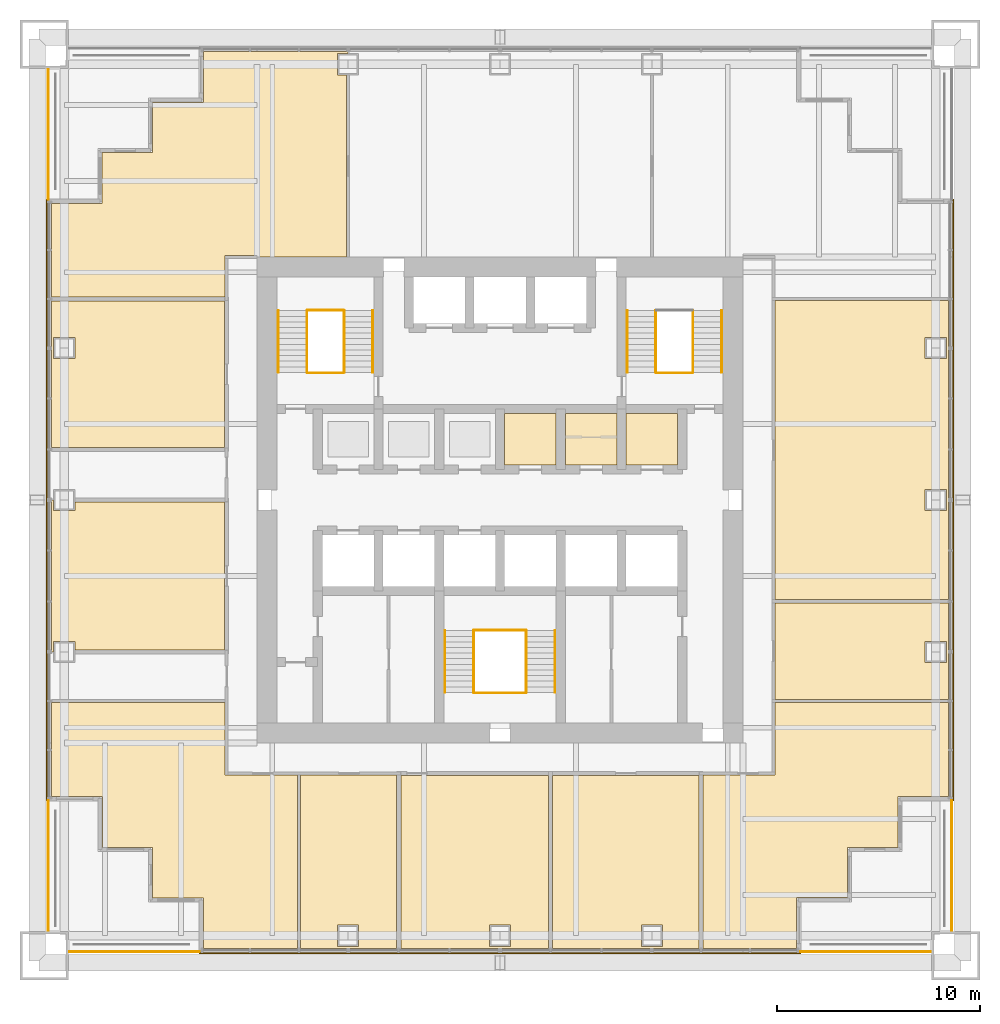
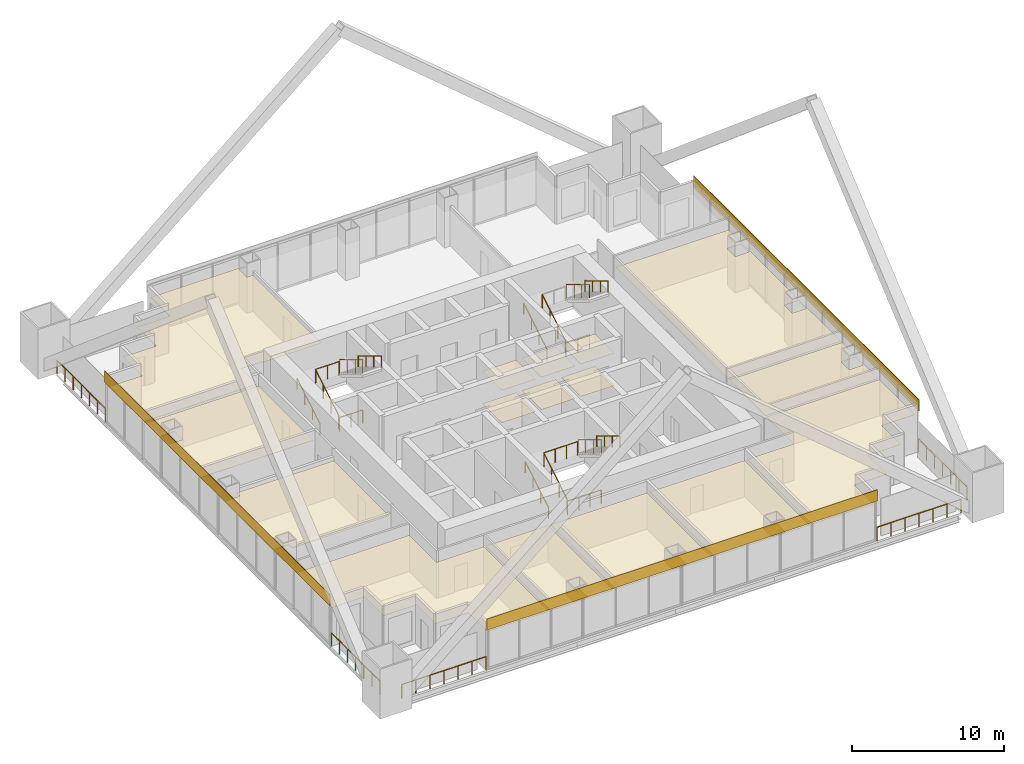
# One storey, part 12 of 14: 22 railings, 19 coverings.
"""IFC4 building model written with IfcOpenShell, lengths in metres."""

from ifc_helpers import new_model, si_unit, direction, frame, origin, origin_2d, place, context, subcontext, project, spatial, polyline, rectangle, circle, outline, extrude, material, layer, layer_set, type_object, element, save


model = new_model("IFC4")

# Units and contexts
model_context = context("Model", 3, precision=1e-05, world=origin(), true_north=direction((0.0, 1.0)))
body_context = subcontext(model_context, "Body", "Model", "MODEL_VIEW")
ifc_project = project(units=[si_unit("LENGTHUNIT", "METRE"), si_unit("AREAUNIT", "SQUARE_METRE"), si_unit("VOLUMEUNIT", "CUBIC_METRE"), si_unit("PLANEANGLEUNIT", "RADIAN"), si_unit("MASSUNIT", "GRAM", prefix="KILO")], contexts=[model_context])

# Site, building, storey
site_placement = place(None, origin())
site = spatial("IfcSite", under=ifc_project, at=site_placement, CompositionType="ELEMENT")
building_placement = place(site_placement, origin())
building = spatial("IfcBuilding", under=site, at=building_placement, Name="Tarangal Relay Tower", CompositionType="ELEMENT")
storey_placement = place(building_placement, frame((0.0, 0.0, 177.89990234375)))
storey = spatial("IfcBuildingStorey", under=building, at=storey_placement, Name="L36", CompositionType="ELEMENT", Elevation=177.89990234375)

# Coverings
ifc_material_1 = material(Name="Anti-static vinyl flooring", Category="plastic")
ifc_layer_1 = layer(ifc_material_1, 0.010009765625)
ifc_layer_set_1 = layer_set([ifc_layer_1], Name="Anti-static vinyl floor")
covering_type_1 = type_object("IfcCoveringType", Name="Anti-static vinyl floor", PredefinedType="FLOORING", material=ifc_layer_set_1)
covering_1_placement = place(storey_placement, origin())
element("IfcCovering", 1, at=covering_1_placement, inside=storey, type_object=covering_type_1, Name="Floor finish FL1 L36-T1", PredefinedType="FLOORING", context=body_context, shape_type="SweptSolid", body=[
    extrude(outline(polyline([(0.22509765625, 1.72509765625), (2.77490234375, 1.72509765625), (2.77490234375, 4.27490234375), (0.22509765625, 4.27490234375), (0.22509765625, 1.72509765625)])), origin(), (0.0, 0.0, 1.0), 0.010009765625),
])
covering_2_placement = place(storey_placement, origin())
element("IfcCovering", 2, at=covering_2_placement, inside=storey, type_object=covering_type_1, Name="Floor finish FL1 L36-T2", PredefinedType="FLOORING", context=body_context, shape_type="SweptSolid", body=[
    extrude(outline(polyline([(3.22509765625, 1.72509765625), (5.77490234375, 1.72509765625), (5.77490234375, 4.27490234375), (3.22509765625, 4.27490234375), (3.22509765625, 1.72509765625)])), origin(), (0.0, 0.0, 1.0), 0.010009765625),
])
covering_3_placement = place(storey_placement, origin())
element("IfcCovering", 3, at=covering_3_placement, inside=storey, type_object=covering_type_1, Name="Floor finish FL1 L36-T3", PredefinedType="FLOORING", context=body_context, shape_type="SweptSolid", body=[
    extrude(outline(polyline([(6.22509765625, 1.72509765625), (8.77490234375, 1.72509765625), (8.77490234375, 4.27490234375), (6.22509765625, 4.27490234375), (6.22509765625, 1.72509765625)])), origin(), (0.0, 0.0, 1.0), 0.010009765625),
])
ifc_material_2 = material(Name="Black anodised aluminium cladding", Category="aluminium")
ifc_layer_2 = layer(ifc_material_2, 0.050048828125)
ifc_layer_set_2 = layer_set([ifc_layer_2], Name="Black metal spandrel band")
covering_type_2 = type_object("IfcCoveringType", Name="Black metal spandrel band", PredefinedType="CLADDING", material=ifc_layer_set_2)
for number, where, z_axis, x_axis, name in (
    (4, (22.375, 0.0, 3.250244140625), (0.0, 0.0, 1.0), (0.0, -1.0, 0.0), "Spandrel band SB1 E L36"),
    (5, (0.0, -22.375, 3.250244140625), (0.0, 0.0, 1.0), (-1.0, 0.0, 0.0), "Spandrel band SB1 S L36"),
    (6, (-22.375, 0.0, 3.250244140625), (0.0, 0.0, 1.0), (0.0, 1.0, 0.0), "Spandrel band SB1 W L36"),
):
    element("IfcCovering", number, at=place(storey_placement, frame(where, z_axis=z_axis, x_axis=x_axis)), inside=storey, type_object=covering_type_2, Name=name, PredefinedType="CLADDING", context=body_context, shape_type="SweptSolid", body=[
        extrude(rectangle(XDim=29.699951171875, YDim=0.050048828125, at=origin_2d()), origin(), (0.0, 0.0, 1.0), 0.89990234375),
    ])

# Railings
ifc_material_3 = material(Name="Steel guard, black finish", Category="steel")
railing_type_1 = type_object("IfcRailingType", Name="Stair guard 1100", PredefinedType="GUARDRAIL", material=ifc_material_3)
railing_1_placement = place(storey_placement, frame((-9.530029296875, 6.300048828125, 0.166748046875)))
element("IfcRailing", 7, at=railing_1_placement, inside=storey, type_object=railing_type_1, Name="Stair ST-A guard GR1 L36 flight 1", PredefinedType="GUARDRAIL", context=body_context, shape_type="SweptSolid", body=[
    extrude(circle(Radius=0.02392578125, at=origin_2d()), frame((0.0, 0.0, 1.076171875), z_axis=(0.0, 0.85685617095, 0.515555527858), x_axis=(-1.0, 0.0, 0.0)), (0.0, 0.0, 1.0), 3.555908203125),
    extrude(circle(Radius=0.02099609375, at=origin_2d()), origin(), (0.0, 0.0, 1.0), 1.052001953125),
    extrude(circle(Radius=0.02099609375, at=origin_2d()), frame((0.0, 1.015625, 0.611083984375)), (0.0, 0.0, 1.0), 1.052001953125),
    extrude(circle(Radius=0.02099609375, at=origin_2d()), frame((0.0, 2.03125, 1.22216796875)), (0.0, 0.0, 1.0), 1.052001953125),
    extrude(circle(Radius=0.02099609375, at=origin_2d()), frame((0.0, 3.046875, 1.833251953125)), (0.0, 0.0, 1.0), 1.052001953125),
])
railing_2_placement = place(storey_placement, frame((-7.695068359375, 9.346923828125, 2.166748046875)))
element("IfcRailing", 8, at=railing_2_placement, inside=storey, type_object=railing_type_1, Name="Stair ST-A guard GR1 L36 flight 2", PredefinedType="GUARDRAIL", context=body_context, shape_type="SweptSolid", body=[
    extrude(circle(Radius=0.02392578125, at=origin_2d()), frame((0.0, 0.0, 1.076171875), z_axis=(0.0, -0.85685617095, 0.515555527858), x_axis=(1.0, 0.0, 0.0)), (0.0, 0.0, 1.0), 3.555908203125),
    extrude(circle(Radius=0.02099609375, at=origin_2d()), origin(), (0.0, 0.0, 1.0), 1.052001953125),
    extrude(circle(Radius=0.02099609375, at=origin_2d()), frame((0.0, -1.015625, 0.611083984375)), (0.0, 0.0, 1.0), 1.052001953125),
    extrude(circle(Radius=0.02099609375, at=origin_2d()), frame((0.0, -2.03125, 1.22216796875)), (0.0, 0.0, 1.0), 1.052001953125),
    extrude(circle(Radius=0.02099609375, at=origin_2d()), frame((0.0, -3.046875, 1.833251953125)), (0.0, 0.0, 1.0), 1.052001953125),
])
for number, where, name in (
    (9, (-9.5, 6.27001953125, 0.0), "Stair ST-A landing guard GR1 L36"),
    (10, (-9.5, 9.376953125, 2.0), "Stair ST-A landing guard GR1 L36"),
):
    element("IfcRailing", number, at=place(storey_placement, frame(where)), inside=storey, type_object=railing_type_1, Name=name, PredefinedType="GUARDRAIL", context=body_context, shape_type="SweptSolid", body=[
        extrude(circle(Radius=0.02392578125, at=origin_2d()), frame((0.0, 0.0, 1.076171875), z_axis=(1.0, 0.0, 0.0), x_axis=(0.0, 1.0, 0.0)), (0.0, 0.0, 1.0), 1.77490234375),
        extrude(circle(Radius=0.02099609375, at=origin_2d()), origin(), (0.0, 0.0, 1.0), 1.052001953125),
        extrude(circle(Radius=0.02099609375, at=origin_2d()), frame((0.887451171875, 0.0, 0.0)), (0.0, 0.0, 1.0), 1.052001953125),
        extrude(circle(Radius=0.02099609375, at=origin_2d()), frame((1.77490234375, 0.0, 0.0)), (0.0, 0.0, 1.0), 1.052001953125),
    ])
railing_3_placement = place(storey_placement, frame((7.695068359375, 6.300048828125, 0.166748046875)))
element("IfcRailing", 11, at=railing_3_placement, inside=storey, type_object=railing_type_1, Name="Stair ST-B guard GR1 L36 flight 1", PredefinedType="GUARDRAIL", context=body_context, shape_type="SweptSolid", body=[
    extrude(circle(Radius=0.02392578125, at=origin_2d()), frame((0.0, 0.0, 1.076171875), z_axis=(0.0, 0.85685617095, 0.515555527858), x_axis=(-1.0, 0.0, 0.0)), (0.0, 0.0, 1.0), 3.555908203125),
    extrude(circle(Radius=0.02099609375, at=origin_2d()), origin(), (0.0, 0.0, 1.0), 1.052001953125),
    extrude(circle(Radius=0.02099609375, at=origin_2d()), frame((0.0, 1.015625, 0.611083984375)), (0.0, 0.0, 1.0), 1.052001953125),
    extrude(circle(Radius=0.02099609375, at=origin_2d()), frame((0.0, 2.03125, 1.22216796875)), (0.0, 0.0, 1.0), 1.052001953125),
    extrude(circle(Radius=0.02099609375, at=origin_2d()), frame((0.0, 3.046875, 1.833251953125)), (0.0, 0.0, 1.0), 1.052001953125),
])
railing_4_placement = place(storey_placement, frame((9.530029296875, 9.346923828125, 2.166748046875)))
element("IfcRailing", 12, at=railing_4_placement, inside=storey, type_object=railing_type_1, Name="Stair ST-B guard GR1 L36 flight 2", PredefinedType="GUARDRAIL", context=body_context, shape_type="SweptSolid", body=[
    extrude(circle(Radius=0.02392578125, at=origin_2d()), frame((0.0, 0.0, 1.076171875), z_axis=(0.0, -0.85685617095, 0.515555527858), x_axis=(1.0, 0.0, 0.0)), (0.0, 0.0, 1.0), 3.555908203125),
    extrude(circle(Radius=0.02099609375, at=origin_2d()), origin(), (0.0, 0.0, 1.0), 1.052001953125),
    extrude(circle(Radius=0.02099609375, at=origin_2d()), frame((0.0, -1.015625, 0.611083984375)), (0.0, 0.0, 1.0), 1.052001953125),
    extrude(circle(Radius=0.02099609375, at=origin_2d()), frame((0.0, -2.03125, 1.22216796875)), (0.0, 0.0, 1.0), 1.052001953125),
    extrude(circle(Radius=0.02099609375, at=origin_2d()), frame((0.0, -3.046875, 1.833251953125)), (0.0, 0.0, 1.0), 1.052001953125),
])
railing_5_placement = place(storey_placement, frame((7.72509765625, 6.27001953125, 0.0)))
element("IfcRailing", 13, at=railing_5_placement, inside=storey, type_object=railing_type_1, Name="Stair ST-B landing guard GR1 L36", PredefinedType="GUARDRAIL", context=body_context, shape_type="SweptSolid", body=[
    extrude(circle(Radius=0.02392578125, at=origin_2d()), frame((0.0, 0.0, 1.076171875), z_axis=(1.0, 0.0, 0.0), x_axis=(0.0, 1.0, 0.0)), (0.0, 0.0, 1.0), 1.77490234375),
    extrude(circle(Radius=0.02099609375, at=origin_2d()), origin(), (0.0, 0.0, 1.0), 1.052001953125),
    extrude(circle(Radius=0.02099609375, at=origin_2d()), frame((0.887451171875, 0.0, 0.0)), (0.0, 0.0, 1.0), 1.052001953125),
    extrude(circle(Radius=0.02099609375, at=origin_2d()), frame((1.77490234375, 0.0, 0.0)), (0.0, 0.0, 1.0), 1.052001953125),
])
railing_6_placement = place(storey_placement, frame((-1.304931640625, -9.5, 0.166748046875)))
element("IfcRailing", 14, at=railing_6_placement, inside=storey, type_object=railing_type_1, Name="Stair ST-C guard GR1 L36 flight 1", PredefinedType="GUARDRAIL", context=body_context, shape_type="SweptSolid", body=[
    extrude(circle(Radius=0.02392578125, at=origin_2d()), frame((0.0, 0.0, 1.076171875), z_axis=(0.0, 0.856874418557, 0.515525199018), x_axis=(-1.0, 0.0, 0.0)), (0.0, 0.0, 1.0), 3.55615234375),
    extrude(circle(Radius=0.02099609375, at=origin_2d()), origin(), (0.0, 0.0, 1.0), 1.052001953125),
    extrude(circle(Radius=0.02099609375, at=origin_2d()), frame((0.0, 1.015625, 0.611083984375)), (0.0, 0.0, 1.0), 1.052001953125),
    extrude(circle(Radius=0.02099609375, at=origin_2d()), frame((0.0, 2.031494140625, 1.22216796875)), (0.0, 0.0, 1.0), 1.052001953125),
    extrude(circle(Radius=0.02099609375, at=origin_2d()), frame((0.0, 3.047119140625, 1.833251953125)), (0.0, 0.0, 1.0), 1.052001953125),
])
railing_7_placement = place(storey_placement, frame((1.304931640625, -6.452880859375, 2.166748046875)))
element("IfcRailing", 15, at=railing_7_placement, inside=storey, type_object=railing_type_1, Name="Stair ST-C guard GR1 L36 flight 2", PredefinedType="GUARDRAIL", context=body_context, shape_type="SweptSolid", body=[
    extrude(circle(Radius=0.02392578125, at=origin_2d()), frame((0.0, 0.0, 1.076171875), z_axis=(0.0, -0.856874418557, 0.515525199018), x_axis=(1.0, 0.0, 0.0)), (0.0, 0.0, 1.0), 3.55615234375),
    extrude(circle(Radius=0.02099609375, at=origin_2d()), origin(), (0.0, 0.0, 1.0), 1.052001953125),
    extrude(circle(Radius=0.02099609375, at=origin_2d()), frame((0.0, -1.015625, 0.611083984375)), (0.0, 0.0, 1.0), 1.052001953125),
    extrude(circle(Radius=0.02099609375, at=origin_2d()), frame((0.0, -2.031494140625, 1.22216796875)), (0.0, 0.0, 1.0), 1.052001953125),
    extrude(circle(Radius=0.02099609375, at=origin_2d()), frame((0.0, -3.047119140625, 1.833251953125)), (0.0, 0.0, 1.0), 1.052001953125),
])
for number, where, name in (
    (16, (-1.27490234375, -9.530029296875, 0.0), "Stair ST-C landing guard GR1 L36"),
    (17, (-1.27490234375, -6.423095703125, 2.0), "Stair ST-C landing guard GR1 L36"),
):
    element("IfcRailing", number, at=place(storey_placement, frame(where)), inside=storey, type_object=railing_type_1, Name=name, PredefinedType="GUARDRAIL", context=body_context, shape_type="SweptSolid", body=[
        extrude(circle(Radius=0.02392578125, at=origin_2d()), frame((0.0, 0.0, 1.076171875), z_axis=(1.0, 0.0, 0.0), x_axis=(0.0, 1.0, 0.0)), (0.0, 0.0, 1.0), 2.5498046875),
        extrude(circle(Radius=0.02099609375, at=origin_2d()), origin(), (0.0, 0.0, 1.0), 1.052001953125),
        extrude(circle(Radius=0.02099609375, at=origin_2d()), frame((0.849853515625, 0.0, 0.0)), (0.0, 0.0, 1.0), 1.052001953125),
        extrude(circle(Radius=0.02099609375, at=origin_2d()), frame((1.699951171875, 0.0, 0.0)), (0.0, 0.0, 1.0), 1.052001953125),
        extrude(circle(Radius=0.02099609375, at=origin_2d()), frame((2.5498046875, 0.0, 0.0)), (0.0, 0.0, 1.0), 1.052001953125),
    ])
ifc_material_4 = material(Name="Steel handrail, black finish", Category="steel")
railing_type_2 = type_object("IfcRailingType", Name="Stair handrail 900", PredefinedType="HANDRAIL", material=ifc_material_4)
railing_8_placement = place(storey_placement, frame((-10.93994140625, 6.300048828125, 0.166748046875)))
element("IfcRailing", 18, at=railing_8_placement, inside=storey, type_object=railing_type_2, Name="Stair ST-A handrail HR1 L36 flight 1", PredefinedType="HANDRAIL", context=body_context, shape_type="SweptSolid", body=[
    extrude(circle(Radius=0.02392578125, at=origin_2d()), frame((0.0, 0.0, 0.8759765625), z_axis=(0.0, 0.85685617095, 0.515555527858), x_axis=(-1.0, 0.0, 0.0)), (0.0, 0.0, 1.0), 3.555908203125),
    extrude(circle(Radius=0.02099609375, at=origin_2d()), origin(), (0.0, 0.0, 1.0), 0.851806640625),
    extrude(circle(Radius=0.02099609375, at=origin_2d()), frame((0.0, 1.015625, 0.611083984375)), (0.0, 0.0, 1.0), 0.851806640625),
    extrude(circle(Radius=0.02099609375, at=origin_2d()), frame((0.0, 2.03125, 1.22216796875)), (0.0, 0.0, 1.0), 0.851806640625),
    extrude(circle(Radius=0.02099609375, at=origin_2d()), frame((0.0, 3.046875, 1.833251953125)), (0.0, 0.0, 1.0), 0.851806640625),
])
railing_9_placement = place(storey_placement, frame((-6.284912109375, 9.346923828125, 2.166748046875)))
element("IfcRailing", 19, at=railing_9_placement, inside=storey, type_object=railing_type_2, Name="Stair ST-A handrail HR1 L36 flight 2", PredefinedType="HANDRAIL", context=body_context, shape_type="SweptSolid", body=[
    extrude(circle(Radius=0.02392578125, at=origin_2d()), frame((0.0, 0.0, 0.8759765625), z_axis=(0.0, -0.85685617095, 0.515555527858), x_axis=(1.0, 0.0, 0.0)), (0.0, 0.0, 1.0), 3.555908203125),
    extrude(circle(Radius=0.02099609375, at=origin_2d()), origin(), (0.0, 0.0, 1.0), 0.851806640625),
    extrude(circle(Radius=0.02099609375, at=origin_2d()), frame((0.0, -1.015625, 0.611083984375)), (0.0, 0.0, 1.0), 0.851806640625),
    extrude(circle(Radius=0.02099609375, at=origin_2d()), frame((0.0, -2.03125, 1.22216796875)), (0.0, 0.0, 1.0), 0.851806640625),
    extrude(circle(Radius=0.02099609375, at=origin_2d()), frame((0.0, -3.046875, 1.833251953125)), (0.0, 0.0, 1.0), 0.851806640625),
])
railing_10_placement = place(storey_placement, frame((6.284912109375, 6.300048828125, 0.166748046875)))
element("IfcRailing", 20, at=railing_10_placement, inside=storey, type_object=railing_type_2, Name="Stair ST-B handrail HR1 L36 flight 1", PredefinedType="HANDRAIL", context=body_context, shape_type="SweptSolid", body=[
    extrude(circle(Radius=0.02392578125, at=origin_2d()), frame((0.0, 0.0, 0.8759765625), z_axis=(0.0, 0.85685617095, 0.515555527858), x_axis=(-1.0, 0.0, 0.0)), (0.0, 0.0, 1.0), 3.555908203125),
    extrude(circle(Radius=0.02099609375, at=origin_2d()), origin(), (0.0, 0.0, 1.0), 0.851806640625),
    extrude(circle(Radius=0.02099609375, at=origin_2d()), frame((0.0, 1.015625, 0.611083984375)), (0.0, 0.0, 1.0), 0.851806640625),
    extrude(circle(Radius=0.02099609375, at=origin_2d()), frame((0.0, 2.03125, 1.22216796875)), (0.0, 0.0, 1.0), 0.851806640625),
    extrude(circle(Radius=0.02099609375, at=origin_2d()), frame((0.0, 3.046875, 1.833251953125)), (0.0, 0.0, 1.0), 0.851806640625),
])
railing_11_placement = place(storey_placement, frame((10.93994140625, 9.346923828125, 2.166748046875)))
element("IfcRailing", 21, at=railing_11_placement, inside=storey, type_object=railing_type_2, Name="Stair ST-B handrail HR1 L36 flight 2", PredefinedType="HANDRAIL", context=body_context, shape_type="SweptSolid", body=[
    extrude(circle(Radius=0.02392578125, at=origin_2d()), frame((0.0, 0.0, 0.8759765625), z_axis=(0.0, -0.85685617095, 0.515555527858), x_axis=(1.0, 0.0, 0.0)), (0.0, 0.0, 1.0), 3.555908203125),
    extrude(circle(Radius=0.02099609375, at=origin_2d()), origin(), (0.0, 0.0, 1.0), 0.851806640625),
    extrude(circle(Radius=0.02099609375, at=origin_2d()), frame((0.0, -1.015625, 0.611083984375)), (0.0, 0.0, 1.0), 0.851806640625),
    extrude(circle(Radius=0.02099609375, at=origin_2d()), frame((0.0, -2.03125, 1.22216796875)), (0.0, 0.0, 1.0), 0.851806640625),
    extrude(circle(Radius=0.02099609375, at=origin_2d()), frame((0.0, -3.046875, 1.833251953125)), (0.0, 0.0, 1.0), 0.851806640625),
])
railing_12_placement = place(storey_placement, frame((-2.715087890625, -9.5, 0.166748046875)))
element("IfcRailing", 22, at=railing_12_placement, inside=storey, type_object=railing_type_2, Name="Stair ST-C handrail HR1 L36 flight 1", PredefinedType="HANDRAIL", context=body_context, shape_type="SweptSolid", body=[
    extrude(circle(Radius=0.02392578125, at=origin_2d()), frame((0.0, 0.0, 0.8759765625), z_axis=(0.0, 0.856874418557, 0.515525199018), x_axis=(-1.0, 0.0, 0.0)), (0.0, 0.0, 1.0), 3.55615234375),
    extrude(circle(Radius=0.02099609375, at=origin_2d()), origin(), (0.0, 0.0, 1.0), 0.851806640625),
    extrude(circle(Radius=0.02099609375, at=origin_2d()), frame((0.0, 1.015625, 0.611083984375)), (0.0, 0.0, 1.0), 0.851806640625),
    extrude(circle(Radius=0.02099609375, at=origin_2d()), frame((0.0, 2.031494140625, 1.22216796875)), (0.0, 0.0, 1.0), 0.851806640625),
    extrude(circle(Radius=0.02099609375, at=origin_2d()), frame((0.0, 3.047119140625, 1.833251953125)), (0.0, 0.0, 1.0), 0.851806640625),
])
railing_13_placement = place(storey_placement, frame((2.715087890625, -6.452880859375, 2.166748046875)))
element("IfcRailing", 23, at=railing_13_placement, inside=storey, type_object=railing_type_2, Name="Stair ST-C handrail HR1 L36 flight 2", PredefinedType="HANDRAIL", context=body_context, shape_type="SweptSolid", body=[
    extrude(circle(Radius=0.02392578125, at=origin_2d()), frame((0.0, 0.0, 0.8759765625), z_axis=(0.0, -0.856874418557, 0.515525199018), x_axis=(1.0, 0.0, 0.0)), (0.0, 0.0, 1.0), 3.55615234375),
    extrude(circle(Radius=0.02099609375, at=origin_2d()), origin(), (0.0, 0.0, 1.0), 0.851806640625),
    extrude(circle(Radius=0.02099609375, at=origin_2d()), frame((0.0, -1.015625, 0.611083984375)), (0.0, 0.0, 1.0), 0.851806640625),
    extrude(circle(Radius=0.02099609375, at=origin_2d()), frame((0.0, -2.031494140625, 1.22216796875)), (0.0, 0.0, 1.0), 0.851806640625),
    extrude(circle(Radius=0.02099609375, at=origin_2d()), frame((0.0, -3.047119140625, 1.833251953125)), (0.0, 0.0, 1.0), 0.851806640625),
])

# Coverings
ifc_material_5 = material(Name="Mineral fibre ceiling tiles", Category="gypsum")
ifc_layer_3 = layer(ifc_material_5, 0.02001953125)
ifc_layer_set_3 = layer_set([ifc_layer_3], Name="Suspended ceiling")
covering_type_3 = type_object("IfcCoveringType", Name="Suspended ceiling", PredefinedType="CEILING", material=ifc_layer_set_3)
covering_4_placement = place(storey_placement, frame((0.0, 0.0, 2.60009765625)))
element("IfcCovering", 24, at=covering_4_placement, inside=storey, type_object=covering_type_3, Name="Suspended ceiling CL1 L36-T1", PredefinedType="CEILING", context=body_context, shape_type="SweptSolid", body=[
    extrude(outline(polyline([(0.22509765625, 1.72509765625), (2.77490234375, 1.72509765625), (2.77490234375, 4.27490234375), (0.22509765625, 4.27490234375), (0.22509765625, 1.72509765625)])), origin(), (0.0, 0.0, 1.0), 0.02001953125),
])
covering_5_placement = place(storey_placement, frame((0.0, 0.0, 2.60009765625)))
element("IfcCovering", 25, at=covering_5_placement, inside=storey, type_object=covering_type_3, Name="Suspended ceiling CL1 L36-T2", PredefinedType="CEILING", context=body_context, shape_type="SweptSolid", body=[
    extrude(outline(polyline([(3.22509765625, 1.72509765625), (5.77490234375, 1.72509765625), (5.77490234375, 4.27490234375), (3.22509765625, 4.27490234375), (3.22509765625, 1.72509765625)])), origin(), (0.0, 0.0, 1.0), 0.02001953125),
])
covering_6_placement = place(storey_placement, frame((0.0, 0.0, 2.60009765625)))
element("IfcCovering", 26, at=covering_6_placement, inside=storey, type_object=covering_type_3, Name="Suspended ceiling CL1 L36-T3", PredefinedType="CEILING", context=body_context, shape_type="SweptSolid", body=[
    extrude(outline(polyline([(6.22509765625, 1.72509765625), (8.77490234375, 1.72509765625), (8.77490234375, 4.27490234375), (6.22509765625, 4.27490234375), (6.22509765625, 1.72509765625)])), origin(), (0.0, 0.0, 1.0), 0.02001953125),
])
covering_7_placement = place(storey_placement, frame((0.0, 0.0, 2.900146484375)))
element("IfcCovering", 27, at=covering_7_placement, inside=storey, type_object=covering_type_3, Name="Suspended ceiling CL1 L36-03", PredefinedType="CEILING", context=body_context, shape_type="SweptSolid", body=[
    extrude(outline(polyline([(22.14990234375, -4.925048828125), (22.14990234375, 9.842041015625), (13.574951171875, 9.842041015625), (13.574951171875, -4.925048828125), (22.14990234375, -4.925048828125)]), holes=[polyline([(22.0400390625, -0.52490234375), (22.0400390625, 0.52490234375), (20.989990234375, 0.52490234375), (20.989990234375, -0.52490234375), (22.0400390625, -0.52490234375)]), polyline([(22.0400390625, 6.97509765625), (22.0400390625, 8.02490234375), (20.989990234375, 8.02490234375), (20.989990234375, 6.97509765625), (22.0400390625, 6.97509765625)])]), origin(), (0.0, 0.0, 1.0), 0.02001953125),
])
covering_8_placement = place(storey_placement, frame((0.0, 0.0, 2.900146484375)))
element("IfcCovering", 28, at=covering_8_placement, inside=storey, type_object=covering_type_3, Name="Suspended ceiling CL1 L36-04", PredefinedType="CEILING", context=body_context, shape_type="SweptSolid", body=[
    extrude(outline(polyline([(22.14990234375, -9.842041015625), (22.14990234375, -5.074951171875), (13.574951171875, -5.074951171875), (13.574951171875, -9.842041015625), (22.14990234375, -9.842041015625)]), holes=[polyline([(22.0400390625, -6.97509765625), (20.989990234375, -6.97509765625), (20.989990234375, -8.02490234375), (22.0400390625, -8.02490234375), (22.0400390625, -6.97509765625)])]), origin(), (0.0, 0.0, 1.0), 0.02001953125),
])
covering_9_placement = place(storey_placement, frame((0.0, 0.0, 2.900146484375)))
element("IfcCovering", 29, at=covering_9_placement, inside=storey, type_object=covering_type_3, Name="Suspended ceiling CL1 L36-05", PredefinedType="CEILING", context=body_context, shape_type="SweptSolid", body=[
    extrude(outline(polyline([(2.60009765625, -22.14990234375), (9.81689453125, -22.14990234375), (9.81689453125, -13.60009765625), (2.60009765625, -13.60009765625), (2.60009765625, -22.14990234375)]), holes=[polyline([(8.02490234375, -20.989990234375), (6.97509765625, -20.989990234375), (6.97509765625, -22.0400390625), (8.02490234375, -22.0400390625), (8.02490234375, -20.989990234375)])]), origin(), (0.0, 0.0, 1.0), 0.02001953125),
])
covering_10_placement = place(storey_placement, frame((0.0, 0.0, 2.900146484375)))
element("IfcCovering", 30, at=covering_10_placement, inside=storey, type_object=covering_type_3, Name="Suspended ceiling CL1 L36-06", PredefinedType="CEILING", context=body_context, shape_type="SweptSolid", body=[
    extrude(outline(polyline([(-4.89990234375, -22.14990234375), (2.39990234375, -22.14990234375), (2.39990234375, -13.60009765625), (-4.89990234375, -13.60009765625), (-4.89990234375, -22.14990234375)]), holes=[polyline([(0.52490234375, -20.989990234375), (-0.52490234375, -20.989990234375), (-0.52490234375, -22.0400390625), (0.52490234375, -22.0400390625), (0.52490234375, -20.989990234375)])]), origin(), (0.0, 0.0, 1.0), 0.02001953125),
])
covering_11_placement = place(storey_placement, frame((0.0, 0.0, 2.900146484375)))
element("IfcCovering", 31, at=covering_11_placement, inside=storey, type_object=covering_type_3, Name="Suspended ceiling CL1 L36-07", PredefinedType="CEILING", context=body_context, shape_type="SweptSolid", body=[
    extrude(outline(polyline([(-9.842041015625, -22.14990234375), (-5.10009765625, -22.14990234375), (-5.10009765625, -13.574951171875), (-9.842041015625, -13.574951171875), (-9.842041015625, -22.14990234375)]), holes=[polyline([(-6.97509765625, -20.989990234375), (-8.02490234375, -20.989990234375), (-8.02490234375, -22.0400390625), (-6.97509765625, -22.0400390625), (-6.97509765625, -20.989990234375)])]), origin(), (0.0, 0.0, 1.0), 0.02001953125),
])
covering_12_placement = place(storey_placement, frame((0.0, 0.0, 2.900146484375)))
element("IfcCovering", 32, at=covering_12_placement, inside=storey, type_object=covering_type_3, Name="Suspended ceiling CL1 L36-09", PredefinedType="CEILING", context=body_context, shape_type="SweptSolid", body=[
    extrude(outline(polyline([(-22.14990234375, 0.0), (-22.14990234375, -7.5), (-22.0400390625, -7.5), (-22.0400390625, -6.97509765625), (-20.989990234375, -6.97509765625), (-20.989990234375, -7.39990234375), (-13.60009765625, -7.39990234375), (-13.60009765625, -0.10009765625), (-20.989990234375, -0.10009765625), (-20.989990234375, -0.52490234375), (-22.0400390625, -0.52490234375), (-22.0400390625, 0.0), (-22.14990234375, 0.0)])), origin(), (0.0, 0.0, 1.0), 0.02001953125),
])
covering_13_placement = place(storey_placement, frame((0.0, 0.0, 2.900146484375)))
element("IfcCovering", 33, at=covering_13_placement, inside=storey, type_object=covering_type_3, Name="Suspended ceiling CL1 L36-11", PredefinedType="CEILING", context=body_context, shape_type="SweptSolid", body=[
    extrude(outline(polyline([(-22.14990234375, 9.81689453125), (-22.14990234375, 2.60009765625), (-13.60009765625, 2.60009765625), (-13.60009765625, 9.81689453125), (-22.14990234375, 9.81689453125)]), holes=[polyline([(-20.989990234375, 8.02490234375), (-22.0400390625, 8.02490234375), (-22.0400390625, 6.97509765625), (-20.989990234375, 6.97509765625), (-20.989990234375, 8.02490234375)])]), origin(), (0.0, 0.0, 1.0), 0.02001953125),
])
covering_14_placement = place(storey_placement, frame((0.0, 0.0, 2.900146484375)))
element("IfcCovering", 34, at=covering_14_placement, inside=storey, type_object=covering_type_3, Name="Suspended ceiling CL1 L36-12", PredefinedType="CEILING", context=body_context, shape_type="SweptSolid", body=[
    extrude(outline(polyline([(-22.14990234375, 14.64990234375), (-22.14990234375, 10.01708984375), (-13.574951171875, 10.01708984375), (-13.574951171875, 12.074951171875), (-12.0, 12.074951171875), (-12.0, 12.0), (-7.574951171875, 12.0), (-7.574951171875, 20.989990234375), (-8.02490234375, 20.989990234375), (-8.02490234375, 22.0400390625), (-7.5, 22.0400390625), (-7.5, 22.14990234375), (-14.64990234375, 22.14990234375), (-14.64990234375, 19.64990234375), (-17.14990234375, 19.64990234375), (-17.14990234375, 17.14990234375), (-19.64990234375, 17.14990234375), (-19.64990234375, 14.64990234375), (-22.14990234375, 14.64990234375)])), origin(), (0.0, 0.0, 1.0), 0.02001953125),
])
covering_15_placement = place(storey_placement, frame((0.0, 0.0, 2.900146484375)))
element("IfcCovering", 35, at=covering_15_placement, inside=storey, type_object=covering_type_3, Name="Suspended ceiling CL1 L36-14", PredefinedType="CEILING", context=body_context, shape_type="SweptSolid", body=[
    extrude(outline(polyline([(22.14990234375, -14.64990234375), (22.14990234375, -9.991943359375), (13.574951171875, -9.991943359375), (13.574951171875, -13.574951171875), (10.01708984375, -13.574951171875), (10.01708984375, -22.14990234375), (14.64990234375, -22.14990234375), (14.64990234375, -19.64990234375), (17.14990234375, -19.64990234375), (17.14990234375, -17.14990234375), (19.64990234375, -17.14990234375), (19.64990234375, -14.64990234375), (22.14990234375, -14.64990234375)])), origin(), (0.0, 0.0, 1.0), 0.02001953125),
])
covering_16_placement = place(storey_placement, frame((0.0, 0.0, 2.900146484375)))
element("IfcCovering", 36, at=covering_16_placement, inside=storey, type_object=covering_type_3, Name="Suspended ceiling CL1 L36-15", PredefinedType="CEILING", context=body_context, shape_type="SweptSolid", body=[
    extrude(outline(polyline([(-14.64990234375, -19.64990234375), (-14.64990234375, -22.14990234375), (-9.991943359375, -22.14990234375), (-9.991943359375, -13.574951171875), (-13.574951171875, -13.574951171875), (-13.574951171875, -9.991943359375), (-22.14990234375, -9.991943359375), (-22.14990234375, -14.64990234375), (-19.64990234375, -14.64990234375), (-19.64990234375, -17.14990234375), (-17.14990234375, -17.14990234375), (-17.14990234375, -19.64990234375), (-14.64990234375, -19.64990234375)])), origin(), (0.0, 0.0, 1.0), 0.02001953125),
])

# Railings
ifc_material_6 = material(Name="Black steel guard with glass infill", Category="steel")
railing_type_3 = type_object("IfcRailingType", Name="Terrace guard 1100", PredefinedType="GUARDRAIL", material=ifc_material_6)
railing_14_placement = place(storey_placement, frame((22.300048828125, -14.85009765625, 0.0)))
element("IfcRailing", 37, at=railing_14_placement, inside=storey, type_object=railing_type_3, Name="Terrace guard GR2 SE L36", PredefinedType="GUARDRAIL", context=body_context, shape_type="SweptSolid", body=[
    extrude(circle(Radius=0.02392578125, at=origin_2d()), frame((0.0, 0.0, 1.076171875), z_axis=(0.0, -1.0, 0.0), x_axis=(1.0, 0.0, 0.0)), (0.0, 0.0, 1.0), 6.39990234375),
    extrude(circle(Radius=0.02099609375, at=origin_2d()), origin(), (0.0, 0.0, 1.0), 1.052001953125),
    extrude(circle(Radius=0.02099609375, at=origin_2d()), frame((0.0, -1.066650390625, 0.0)), (0.0, 0.0, 1.0), 1.052001953125),
    extrude(circle(Radius=0.02099609375, at=origin_2d()), frame((0.0, -2.13330078125, 0.0)), (0.0, 0.0, 1.0), 1.052001953125),
    extrude(circle(Radius=0.02099609375, at=origin_2d()), frame((0.0, -3.199951171875, 0.0)), (0.0, 0.0, 1.0), 1.052001953125),
    extrude(circle(Radius=0.02099609375, at=origin_2d()), frame((0.0, -4.2666015625, 0.0)), (0.0, 0.0, 1.0), 1.052001953125),
    extrude(circle(Radius=0.02099609375, at=origin_2d()), frame((0.0, -5.333251953125, 0.0)), (0.0, 0.0, 1.0), 1.052001953125),
    extrude(circle(Radius=0.02099609375, at=origin_2d()), frame((0.0, -6.39990234375, 0.0)), (0.0, 0.0, 1.0), 1.052001953125),
])
for number, where, name in (
    (38, (21.25, -22.300048828125, 0.0), "Terrace guard GR2 SE L36"),
    (39, (-14.85009765625, -22.300048828125, 0.0), "Terrace guard GR2 SW L36"),
):
    element("IfcRailing", number, at=place(storey_placement, frame(where)), inside=storey, type_object=railing_type_3, Name=name, PredefinedType="GUARDRAIL", context=body_context, shape_type="SweptSolid", body=[
        extrude(circle(Radius=0.02392578125, at=origin_2d()), frame((0.0, 0.0, 1.076171875), z_axis=(-1.0, 0.0, 0.0), x_axis=(0.0, -1.0, 0.0)), (0.0, 0.0, 1.0), 6.39990234375),
        extrude(circle(Radius=0.02099609375, at=origin_2d()), origin(), (0.0, 0.0, 1.0), 1.052001953125),
        extrude(circle(Radius=0.02099609375, at=origin_2d()), frame((-1.066650390625, 0.0, 0.0)), (0.0, 0.0, 1.0), 1.052001953125),
        extrude(circle(Radius=0.02099609375, at=origin_2d()), frame((-2.13330078125, 0.0, 0.0)), (0.0, 0.0, 1.0), 1.052001953125),
        extrude(circle(Radius=0.02099609375, at=origin_2d()), frame((-3.199951171875, 0.0, 0.0)), (0.0, 0.0, 1.0), 1.052001953125),
        extrude(circle(Radius=0.02099609375, at=origin_2d()), frame((-4.2666015625, 0.0, 0.0)), (0.0, 0.0, 1.0), 1.052001953125),
        extrude(circle(Radius=0.02099609375, at=origin_2d()), frame((-5.333251953125, 0.0, 0.0)), (0.0, 0.0, 1.0), 1.052001953125),
        extrude(circle(Radius=0.02099609375, at=origin_2d()), frame((-6.39990234375, 0.0, 0.0)), (0.0, 0.0, 1.0), 1.052001953125),
    ])
for number, where, name in (
    (40, (-22.300048828125, -21.25, 0.0), "Terrace guard GR2 SW L36"),
    (41, (-22.300048828125, 14.85009765625, 0.0), "Terrace guard GR2 NW L36"),
):
    element("IfcRailing", number, at=place(storey_placement, frame(where)), inside=storey, type_object=railing_type_3, Name=name, PredefinedType="GUARDRAIL", context=body_context, shape_type="SweptSolid", body=[
        extrude(circle(Radius=0.02392578125, at=origin_2d()), frame((0.0, 0.0, 1.076171875), z_axis=(0.0, 1.0, 0.0), x_axis=(-1.0, 0.0, 0.0)), (0.0, 0.0, 1.0), 6.39990234375),
        extrude(circle(Radius=0.02099609375, at=origin_2d()), origin(), (0.0, 0.0, 1.0), 1.052001953125),
        extrude(circle(Radius=0.02099609375, at=origin_2d()), frame((0.0, 1.066650390625, 0.0)), (0.0, 0.0, 1.0), 1.052001953125),
        extrude(circle(Radius=0.02099609375, at=origin_2d()), frame((0.0, 2.13330078125, 0.0)), (0.0, 0.0, 1.0), 1.052001953125),
        extrude(circle(Radius=0.02099609375, at=origin_2d()), frame((0.0, 3.199951171875, 0.0)), (0.0, 0.0, 1.0), 1.052001953125),
        extrude(circle(Radius=0.02099609375, at=origin_2d()), frame((0.0, 4.2666015625, 0.0)), (0.0, 0.0, 1.0), 1.052001953125),
        extrude(circle(Radius=0.02099609375, at=origin_2d()), frame((0.0, 5.333251953125, 0.0)), (0.0, 0.0, 1.0), 1.052001953125),
        extrude(circle(Radius=0.02099609375, at=origin_2d()), frame((0.0, 6.39990234375, 0.0)), (0.0, 0.0, 1.0), 1.052001953125),
    ])

save(model, "model.ifc")
